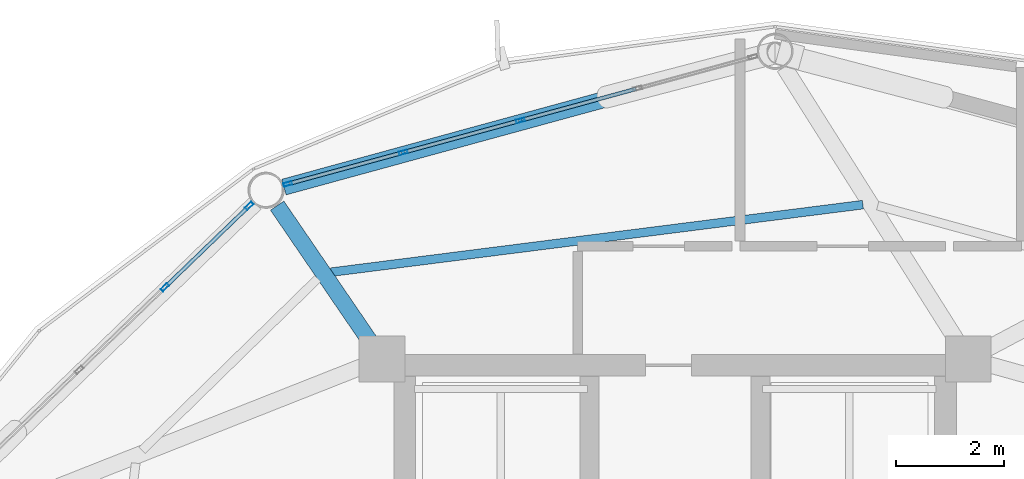
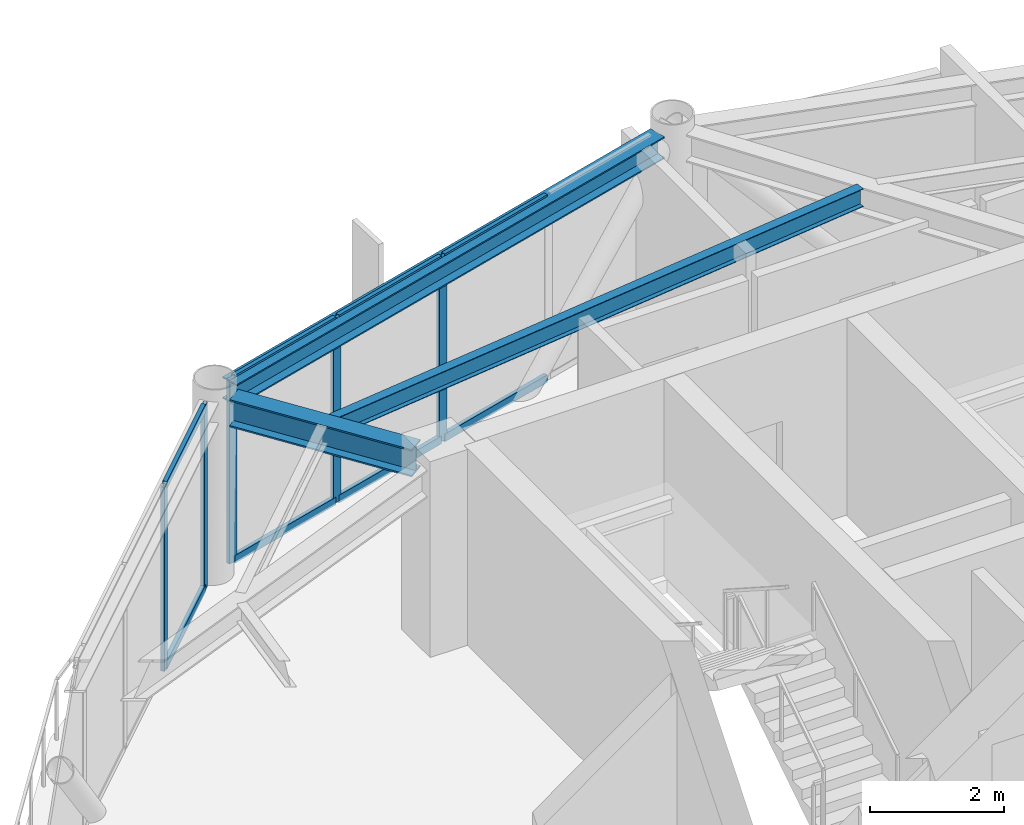
# One storey, part 17 of 26: 13 members, 3 beams, 2 elements without a shape of their own.
"""IFC4 building model written with IfcOpenShell, lengths in metres."""

from ifc_helpers import new_model, si_unit, direction, frame, origin, origin_2d, place, context, subcontext, project, spatial, hollow_rectangle, i_section, extrude, material, layer, layer_set, material_profile, profile_set, type_object, element, aggregate, save


model = new_model("IFC4")

# Units and contexts
model_context = context("Model", 3, precision=1e-05, world=origin(), true_north=direction((0.0, 1.0)))
body_context = subcontext(model_context, "Body", "Model", "MODEL_VIEW")
ifc_project = project(units=[si_unit("LENGTHUNIT", "METRE"), si_unit("AREAUNIT", "SQUARE_METRE"), si_unit("VOLUMEUNIT", "CUBIC_METRE"), si_unit("PLANEANGLEUNIT", "RADIAN"), si_unit("MASSUNIT", "GRAM", prefix="KILO")], contexts=[model_context])

# Site, building, storey
site_placement = place(None, origin())
site = spatial("IfcSite", under=ifc_project, at=site_placement, CompositionType="ELEMENT")
building_placement = place(site_placement, origin())
building = spatial("IfcBuilding", under=site, at=building_placement, Name="Varnakorn Sky Granary", CompositionType="ELEMENT")
storey_placement = place(building_placement, frame((0.0, 0.0, 222.0)))
storey = spatial("IfcBuildingStorey", under=building, at=storey_placement, Name="L56", CompositionType="ELEMENT", Elevation=222.0)

# Beams
ifc_material_1 = material(Name="Steel S355JR", Category="steel")
ifc_material_profile_1 = material_profile(ifc_material_1, i_section(OverallWidth=0.300048828125, OverallDepth=0.5, WebThickness=0.014404296875, FlangeThickness=0.028076171875, at=origin_2d()), Name="HE 500 B")
ifc_profile_set_1 = profile_set([ifc_material_profile_1], Name="Steel S355JR")
beam_type_1 = type_object("IfcBeamType", Name="BM-RAD-Z4", PredefinedType="BEAM", material=ifc_profile_set_1)
beam_1_placement = place(storey_placement, frame((-2.648681640625, 12.954345703125, 3.110107421875), z_axis=(-0.56446105097, 0.8254597034, 0.0), x_axis=(-0.8254597034, -0.56446105097, 0.0)))
element("IfcBeam", 1, at=beam_1_placement, inside=storey, type_object=beam_type_1, Name="Radial Floor Girder RG05 L56", PredefinedType="BEAM", context=body_context, shape_type="SweptSolid", body=[
    extrude(i_section(OverallWidth=0.300048828125, OverallDepth=0.5, WebThickness=0.014404296875, FlangeThickness=0.028076171875, at=origin_2d()), origin(), (0.0, 0.0, 1.0), 3.024169921875),
])
ifc_material_profile_2 = material_profile(ifc_material_1, i_section(OverallWidth=0.159912109375, OverallDepth=0.330078125, WebThickness=0.007568359375, FlangeThickness=0.011474609375, at=origin_2d()), Name="IPE 330")
ifc_profile_set_2 = profile_set([ifc_material_profile_2], Name="Steel S355JR")
beam_type_2 = type_object("IfcBeamType", Name="BM-SEC-Z4", PredefinedType="BEAM", material=ifc_profile_set_2)
beam_2_placement = place(storey_placement, frame((6.47216796875, 15.468505859375, 3.195068359375), z_axis=(-0.992041982229, -0.125907527556, 0.0), x_axis=(0.125907527556, -0.992041982229, 0.0)))
element("IfcBeam", 2, at=beam_2_placement, inside=storey, type_object=beam_type_2, Name="Secondary Floor Chord Beam MSB04 L56", PredefinedType="BEAM", context=body_context, shape_type="SweptSolid", body=[
    extrude(i_section(OverallWidth=0.159912109375, OverallDepth=0.330078125, WebThickness=0.007568359375, FlangeThickness=0.011474609375, at=origin_2d()), origin(), (0.0, 0.0, 1.0), 9.914306640625),
])
ifc_material_profile_3 = material_profile(ifc_material_1, i_section(OverallWidth=0.300048828125, OverallDepth=0.39990234375, WebThickness=0.013427734375, FlangeThickness=0.02392578125, at=origin_2d()), Name="HE 400 B")
ifc_profile_set_3 = profile_set([ifc_material_profile_3], Name="Steel S355JR")
beam_type_3 = type_object("IfcBeamType", Name="BM-SPD-Z4", PredefinedType="SPANDREL", material=ifc_profile_set_3)
beam_3_placement = place(storey_placement, frame((4.546142578125, 18.19287109375, 3.159912109375), z_axis=(-0.964603252537, -0.263705451585, 0.0), x_axis=(0.263705451585, -0.964603252537, 0.0)))
element("IfcBeam", 3, at=beam_3_placement, inside=storey, type_object=beam_type_3, Name="Perimeter Spandrel Ring Beam RB04 L56", PredefinedType="SPANDREL", context=body_context, shape_type="SweptSolid", body=[
    extrude(i_section(OverallWidth=0.300048828125, OverallDepth=0.39990234375, WebThickness=0.013427734375, FlangeThickness=0.02392578125, at=origin_2d()), origin(), (0.0, 0.0, 1.0), 9.097900390625),
])

# Curtain wall, members
ifc_material_2 = material(Name="Anodised Bronze Aluminium Alloy 6063-T6", Category="aluminium")
ifc_layer = layer(ifc_material_2, 0.169921875, Name="Anodised Bronze Aluminium Alloy 6063-T6")
ifc_layer_set = layer_set([ifc_layer], Name="Anodised Bronze Aluminium Alloy 6063-T6")
curtain_wall_type = type_object("IfcCurtainWallType", Name="CW-LAB-1", PredefinedType="USERDEFINED", material=ifc_layer_set)
curtain_wall_1_placement = place(storey_placement, origin())
curtain_wall_1 = element("IfcCurtainWall", 4, at=curtain_wall_1_placement, inside=storey, type_object=curtain_wall_type, Name="Unitised Curtain Wall CW5 CW-L56-B04", ObjectType="CURTAIN WALL", PredefinedType="USERDEFINED")
ifc_material_profile_4 = material_profile(ifc_material_2, hollow_rectangle(XDim=0.06494140625, YDim=0.159912109375, WallThickness=0.00341796875, at=origin_2d()), Name="ALU MULL 65x160")
ifc_profile_set_4 = profile_set([ifc_material_profile_4], Name="Anodised Bronze Aluminium Alloy 6063-T6")
member_type_1 = type_object("IfcMemberType", Name="CW-LAB-1-MULL", PredefinedType="MULLION", material=ifc_profile_set_4)
member_1_placement = place(storey_placement, frame((-4.159423828125, 15.851318359375, 0.0), z_axis=(0.0, 0.0, 1.0), x_axis=(-0.263275677014, 0.96472064241, 0.0)))
member_1 = element("IfcMember", 5, at=member_1_placement, type_object=member_type_1, Name="CW5 mullion 1", PredefinedType="MULLION", context=body_context, shape_type="SweptSolid", body=[
    extrude(hollow_rectangle(XDim=0.06494140625, YDim=0.159912109375, WallThickness=0.00341796875, at=origin_2d()), origin(), (0.0, 0.0, 1.0), 3.360107421875),
])
member_2_placement = place(storey_placement, frame((-2.024658203125, 16.433837890625, 0.0), z_axis=(0.0, 0.0, 1.0), x_axis=(-0.263275677014, 0.96472064241, 0.0)))
member_2 = element("IfcMember", 6, at=member_2_placement, type_object=member_type_1, Name="CW5 mullion 2", PredefinedType="MULLION", context=body_context, shape_type="SweptSolid", body=[
    extrude(hollow_rectangle(XDim=0.06494140625, YDim=0.159912109375, WallThickness=0.00341796875, at=origin_2d()), origin(), (0.0, 0.0, 1.0), 3.360107421875),
])
member_3_placement = place(storey_placement, frame((0.1416015625, 17.02490234375, 0.0), z_axis=(0.0, 0.0, 1.0), x_axis=(-0.263275677014, 0.96472064241, 0.0)))
member_3 = element("IfcMember", 7, at=member_3_placement, type_object=member_type_1, Name="CW5 mullion 3", PredefinedType="MULLION", context=body_context, shape_type="SweptSolid", body=[
    extrude(hollow_rectangle(XDim=0.06494140625, YDim=0.159912109375, WallThickness=0.00341796875, at=origin_2d()), origin(), (0.0, 0.0, 1.0), 3.360107421875),
])

curtain_wall_2_placement = place(storey_placement, origin())
curtain_wall_2 = element("IfcCurtainWall", 8, at=curtain_wall_2_placement, inside=storey, type_object=curtain_wall_type, Name="Unitised Curtain Wall CW5 CW-L56-B05", ObjectType="CURTAIN WALL", PredefinedType="USERDEFINED")
member_4_placement = place(storey_placement, frame((-6.4306640625, 13.94140625, 0.0), z_axis=(0.0, 0.0, 1.0), x_axis=(-0.694404067281, 0.719585291222, 0.0)))
member_4 = element("IfcMember", 9, at=member_4_placement, type_object=member_type_1, Name="CW5 mullion 4", PredefinedType="MULLION", context=body_context, shape_type="SweptSolid", body=[
    extrude(hollow_rectangle(XDim=0.06494140625, YDim=0.159912109375, WallThickness=0.00341796875, at=origin_2d()), origin(), (0.0, 0.0, 1.0), 3.360107421875),
])
member_5_placement = place(storey_placement, frame((-4.87109375, 15.446533203125, 0.0), z_axis=(0.0, 0.0, 1.0), x_axis=(-0.694404067281, 0.719585291222, 0.0)))
member_5 = element("IfcMember", 10, at=member_5_placement, type_object=member_type_1, Name="CW5 mullion 5", PredefinedType="MULLION", context=body_context, shape_type="SweptSolid", body=[
    extrude(hollow_rectangle(XDim=0.06494140625, YDim=0.159912109375, WallThickness=0.00341796875, at=origin_2d()), origin(), (0.0, 0.0, 1.0), 3.360107421875),
])

# Member
ifc_material_profile_5 = material_profile(ifc_material_2, hollow_rectangle(XDim=0.070068359375, YDim=0.139892578125, WallThickness=0.00341796875, at=origin_2d()), Name="ALU TRAN 70x140")
ifc_profile_set_5 = profile_set([ifc_material_profile_5], Name="Anodised Bronze Aluminium Alloy 6063-T6")
member_type_2 = type_object("IfcMemberType", Name="CW-LAB-1-TRAN", PredefinedType="USERDEFINED", material=ifc_profile_set_5)
member_6_placement = place(storey_placement, frame((-4.128173828125, 15.85986328125, 0.034912109375), z_axis=(0.964732339706, 0.263232810881, 0.0), x_axis=(-0.263232810881, 0.964732339706, 0.0)))
member_6 = element("IfcMember", 11, at=member_6_placement, type_object=member_type_2, Name="CW5 transom 1.1", ObjectType="TRANSOM", PredefinedType="USERDEFINED", context=body_context, shape_type="SweptSolid", body=[
    extrude(hollow_rectangle(XDim=0.070068359375, YDim=0.139892578125, WallThickness=0.00341796875, at=origin_2d()), origin(), (0.0, 0.0, 1.0), 2.14794921875),
])

member_7_placement = place(storey_placement, frame((-4.128173828125, 15.85986328125, 3.324951171875), z_axis=(0.964732339706, 0.263232810881, 0.0), x_axis=(-0.263232810881, 0.964732339706, 0.0)))
member_7 = element("IfcMember", 12, at=member_7_placement, type_object=member_type_2, Name="CW5 transom 1.2", ObjectType="TRANSOM", PredefinedType="USERDEFINED", context=body_context, shape_type="SweptSolid", body=[
    extrude(hollow_rectangle(XDim=0.070068359375, YDim=0.139892578125, WallThickness=0.00341796875, at=origin_2d()), origin(), (0.0, 0.0, 1.0), 2.14794921875),
])

member_8_placement = place(storey_placement, frame((-1.993408203125, 16.4423828125, 0.034912109375), z_axis=(0.964730222491, 0.263240570227, 0.0), x_axis=(-0.263240570227, 0.964730222491, 0.0)))
member_8 = element("IfcMember", 13, at=member_8_placement, type_object=member_type_2, Name="CW5 transom 2.1", ObjectType="TRANSOM", PredefinedType="USERDEFINED", context=body_context, shape_type="SweptSolid", body=[
    extrude(hollow_rectangle(XDim=0.070068359375, YDim=0.139892578125, WallThickness=0.00341796875, at=origin_2d()), origin(), (0.0, 0.0, 1.0), 2.180419921875),
])

member_9_placement = place(storey_placement, frame((-1.993408203125, 16.4423828125, 3.324951171875), z_axis=(0.964730222491, 0.263240570227, 0.0), x_axis=(-0.263240570227, 0.964730222491, 0.0)))
member_9 = element("IfcMember", 14, at=member_9_placement, type_object=member_type_2, Name="CW5 transom 2.2", ObjectType="TRANSOM", PredefinedType="USERDEFINED", context=body_context, shape_type="SweptSolid", body=[
    extrude(hollow_rectangle(XDim=0.070068359375, YDim=0.139892578125, WallThickness=0.00341796875, at=origin_2d()), origin(), (0.0, 0.0, 1.0), 2.180419921875),
])

member_10_placement = place(storey_placement, frame((0.1728515625, 17.033447265625, 0.034912109375), z_axis=(0.96470178233, 0.263344776235, 0.0), x_axis=(-0.263344776235, 0.96470178233, 0.0)))
member_10 = element("IfcMember", 15, at=member_10_placement, type_object=member_type_2, Name="CW5 transom 3.1", ObjectType="TRANSOM", PredefinedType="USERDEFINED", context=body_context, shape_type="SweptSolid", body=[
    extrude(hollow_rectangle(XDim=0.070068359375, YDim=0.139892578125, WallThickness=0.00341796875, at=origin_2d()), origin(), (0.0, 0.0, 1.0), 2.180419921875),
])

member_11_placement = place(storey_placement, frame((0.1728515625, 17.033447265625, 3.324951171875), z_axis=(0.96470178233, 0.263344776235, 0.0), x_axis=(-0.263344776235, 0.96470178233, 0.0)))
member_11 = element("IfcMember", 16, at=member_11_placement, type_object=member_type_2, Name="CW5 transom 3.2", ObjectType="TRANSOM", PredefinedType="USERDEFINED", context=body_context, shape_type="SweptSolid", body=[
    extrude(hollow_rectangle(XDim=0.070068359375, YDim=0.139892578125, WallThickness=0.00341796875, at=origin_2d()), origin(), (0.0, 0.0, 1.0), 2.180419921875),
])

aggregate(curtain_wall_1, [member_1, member_2, member_3, member_6, member_7, member_8, member_9, member_10, member_11])

member_12_placement = place(storey_placement, frame((-6.4072265625, 13.964111328125, 0.034912109375), z_axis=(0.719593512887, 0.694395547372, 0.0), x_axis=(-0.694395547372, 0.719593512887, 0.0)))
member_12 = element("IfcMember", 17, at=member_12_placement, type_object=member_type_2, Name="CW5 transom 4.1", ObjectType="TRANSOM", PredefinedType="USERDEFINED", context=body_context, shape_type="SweptSolid", body=[
    extrude(hollow_rectangle(XDim=0.070068359375, YDim=0.139892578125, WallThickness=0.00341796875, at=origin_2d()), origin(), (0.0, 0.0, 1.0), 2.1025390625),
])

member_13_placement = place(storey_placement, frame((-6.4072265625, 13.964111328125, 3.324951171875), z_axis=(0.719593512887, 0.694395547372, 0.0), x_axis=(-0.694395547372, 0.719593512887, 0.0)))
member_13 = element("IfcMember", 18, at=member_13_placement, type_object=member_type_2, Name="CW5 transom 4.2", ObjectType="TRANSOM", PredefinedType="USERDEFINED", context=body_context, shape_type="SweptSolid", body=[
    extrude(hollow_rectangle(XDim=0.070068359375, YDim=0.139892578125, WallThickness=0.00341796875, at=origin_2d()), origin(), (0.0, 0.0, 1.0), 2.1025390625),
])

aggregate(curtain_wall_2, [member_4, member_5, member_12, member_13])

save(model, "model.ifc")
